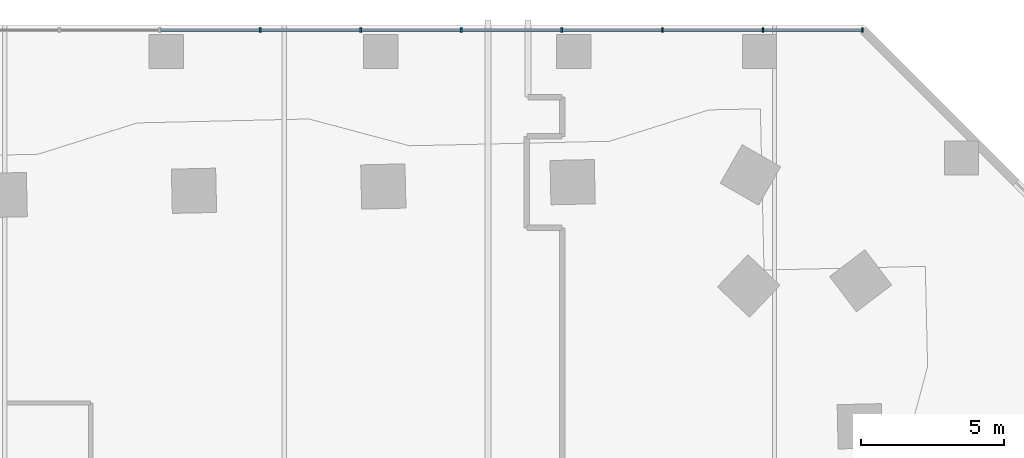
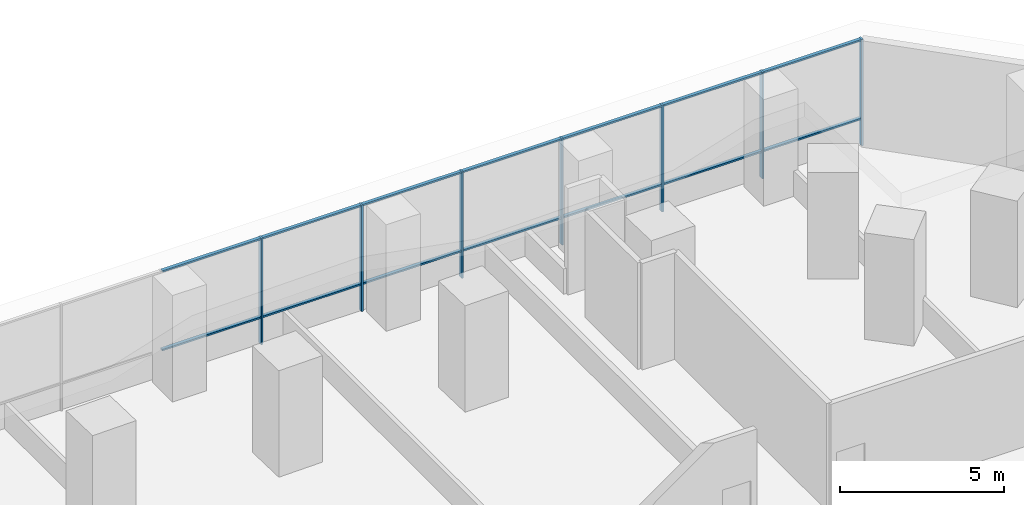
# One storey, part 3 of 12: 21 members, 1 element without a shape of its own.
"""IFC4 building model written with IfcOpenShell, lengths in metres."""

from ifc_helpers import new_model, si_unit, direction, frame, origin, origin_2d, place, context, subcontext, project, spatial, rectangle, extrude, material, material_profile, profile_set, type_object, element, aggregate, save


model = new_model("IFC4")

# Units and contexts
model_context = context("Model", 3, precision=1e-05, world=origin(), true_north=direction((0.0, 1.0)))
body_context = subcontext(model_context, "Body", "Model", "MODEL_VIEW")
ifc_project = project(units=[si_unit("LENGTHUNIT", "METRE"), si_unit("AREAUNIT", "SQUARE_METRE"), si_unit("VOLUMEUNIT", "CUBIC_METRE"), si_unit("PLANEANGLEUNIT", "RADIAN"), si_unit("MASSUNIT", "GRAM", prefix="KILO")], contexts=[model_context])

# Site, building, storey
site_placement = place(None, origin())
site = spatial("IfcSite", under=ifc_project, at=site_placement, CompositionType="ELEMENT")
building_placement = place(site_placement, origin())
building = spatial("IfcBuilding", under=site, at=building_placement, Name="Mangrove Gate Tower", CompositionType="ELEMENT")
storey_placement = place(building_placement, frame((0.0, 0.0, 25.0)))
storey = spatial("IfcBuildingStorey", under=building, at=storey_placement, Name="L05", CompositionType="ELEMENT", Elevation=25.0)

# Curtain wall, members
ifc_material_1 = material(Name="Aluminium and glass curtain wall", Category="aluminium")
curtain_wall_type = type_object("IfcCurtainWallType", Name="Podium amenity glazing wall", PredefinedType="NOTDEFINED", material=ifc_material_1)
curtain_wall_placement = place(storey_placement, origin())
curtain_wall = element("IfcCurtainWall", 1, at=curtain_wall_placement, inside=storey, type_object=curtain_wall_type, Name="Podium amenity glazing N3", PredefinedType="NOTDEFINED")
ifc_material_2 = material(Name="Aluminium alloy 6063-T6", Category="aluminium")
ifc_material_profile_1 = material_profile(ifc_material_2, rectangle(XDim=0.06005859375, YDim=0.159912109375, at=origin_2d()))
ifc_profile_set_1 = profile_set([ifc_material_profile_1], Name="Aluminium alloy 6063-T6")
member_type_1 = type_object("IfcMemberType", Name="Podium amenity glazing mullion 60x160", PredefinedType="MULLION", material=ifc_profile_set_1)
member_1_placement = place(storey_placement, frame((28.10791015625, 30.85009765625, 0.0), z_axis=(0.0, 0.0, 1.0), x_axis=(-1.0, 0.0, 0.0)))
member_1 = element("IfcMember", 2, at=member_1_placement, type_object=member_type_1, Name="CWP mullion 1", PredefinedType="MULLION", context=body_context, shape_type="SweptSolid", body=[
    extrude(rectangle(XDim=0.06005859375, YDim=0.159912109375, at=origin_2d()), origin(), (0.0, 0.0, 1.0), 3.949951171875),
])
member_2_placement = place(storey_placement, frame((24.62060546875, 30.85009765625, 0.0), z_axis=(0.0, 0.0, 1.0), x_axis=(-1.0, 0.0, 0.0)))
member_2 = element("IfcMember", 3, at=member_2_placement, type_object=member_type_1, Name="CWP mullion 2", PredefinedType="MULLION", context=body_context, shape_type="SweptSolid", body=[
    extrude(rectangle(XDim=0.06005859375, YDim=0.159912109375, at=origin_2d()), origin(), (0.0, 0.0, 1.0), 3.949951171875),
])
member_3_placement = place(storey_placement, frame((21.103515625, 30.85009765625, 0.0), z_axis=(0.0, 0.0, 1.0), x_axis=(-1.0, 0.0, 0.0)))
member_3 = element("IfcMember", 4, at=member_3_placement, type_object=member_type_1, Name="CWP mullion 3", PredefinedType="MULLION", context=body_context, shape_type="SweptSolid", body=[
    extrude(rectangle(XDim=0.06005859375, YDim=0.159912109375, at=origin_2d()), origin(), (0.0, 0.0, 1.0), 3.949951171875),
])
member_4_placement = place(storey_placement, frame((17.586181640625, 30.85009765625, 0.0), z_axis=(0.0, 0.0, 1.0), x_axis=(-1.0, 0.0, 0.0)))
member_4 = element("IfcMember", 5, at=member_4_placement, type_object=member_type_1, Name="CWP mullion 4", PredefinedType="MULLION", context=body_context, shape_type="SweptSolid", body=[
    extrude(rectangle(XDim=0.06005859375, YDim=0.159912109375, at=origin_2d()), origin(), (0.0, 0.0, 1.0), 3.949951171875),
])
member_5_placement = place(storey_placement, frame((14.06884765625, 30.85009765625, 0.0), z_axis=(0.0, 0.0, 1.0), x_axis=(-1.0, 0.0, 0.0)))
member_5 = element("IfcMember", 6, at=member_5_placement, type_object=member_type_1, Name="CWP mullion 5", PredefinedType="MULLION", context=body_context, shape_type="SweptSolid", body=[
    extrude(rectangle(XDim=0.06005859375, YDim=0.159912109375, at=origin_2d()), origin(), (0.0, 0.0, 1.0), 3.949951171875),
])
member_6_placement = place(storey_placement, frame((10.5517578125, 30.85009765625, 0.0), z_axis=(0.0, 0.0, 1.0), x_axis=(-1.0, 0.0, 0.0)))
member_6 = element("IfcMember", 7, at=member_6_placement, type_object=member_type_1, Name="CWP mullion 6", PredefinedType="MULLION", context=body_context, shape_type="SweptSolid", body=[
    extrude(rectangle(XDim=0.06005859375, YDim=0.159912109375, at=origin_2d()), origin(), (0.0, 0.0, 1.0), 3.949951171875),
])
member_7_placement = place(storey_placement, frame((7.034423828125, 30.85009765625, 0.0), z_axis=(0.0, 0.0, 1.0), x_axis=(-1.0, 0.0, 0.0)))
member_7 = element("IfcMember", 8, at=member_7_placement, type_object=member_type_1, Name="CWP mullion 7", PredefinedType="MULLION", context=body_context, shape_type="SweptSolid", body=[
    extrude(rectangle(XDim=0.06005859375, YDim=0.159912109375, at=origin_2d()), origin(), (0.0, 0.0, 1.0), 3.949951171875),
])
ifc_material_3 = material(Name="Aluminium alloy 6063-T6", Category="aluminium")
ifc_material_profile_2 = material_profile(ifc_material_3, rectangle(XDim=0.06005859375, YDim=0.1201171875, at=origin_2d()))
ifc_profile_set_2 = profile_set([ifc_material_profile_2], Name="Aluminium alloy 6063-T6")
member_type_2 = type_object("IfcMemberType", Name="Podium amenity glazing transom 60x120", PredefinedType="USERDEFINED", material=ifc_profile_set_2)
member_8_placement = place(storey_placement, frame((28.077880859375, 30.85009765625, 1.0), z_axis=(-1.0, 0.0, 0.0), x_axis=(0.0, 0.0, 1.0)))
member_8 = element("IfcMember", 9, at=member_8_placement, type_object=member_type_2, Name="CWP transom 1.2", ObjectType="TRANSOM", PredefinedType="USERDEFINED", context=body_context, shape_type="SweptSolid", body=[
    extrude(rectangle(XDim=0.06005859375, YDim=0.1201171875, at=origin_2d()), origin(), (0.0, 0.0, 1.0), 3.42724609375),
])
member_9_placement = place(storey_placement, frame((28.077880859375, 30.85009765625, 3.919921875), z_axis=(-1.0, 0.0, 0.0), x_axis=(0.0, 0.0, 1.0)))
member_9 = element("IfcMember", 10, at=member_9_placement, type_object=member_type_2, Name="CWP transom 1.3", ObjectType="TRANSOM", PredefinedType="USERDEFINED", context=body_context, shape_type="SweptSolid", body=[
    extrude(rectangle(XDim=0.06005859375, YDim=0.1201171875, at=origin_2d()), origin(), (0.0, 0.0, 1.0), 3.42724609375),
])
member_10_placement = place(storey_placement, frame((24.590576171875, 30.85009765625, 1.0), z_axis=(-1.0, 0.0, 0.0), x_axis=(0.0, 0.0, 1.0)))
member_10 = element("IfcMember", 11, at=member_10_placement, type_object=member_type_2, Name="CWP transom 2.2", ObjectType="TRANSOM", PredefinedType="USERDEFINED", context=body_context, shape_type="SweptSolid", body=[
    extrude(rectangle(XDim=0.06005859375, YDim=0.1201171875, at=origin_2d()), origin(), (0.0, 0.0, 1.0), 3.457275390625),
])
member_11_placement = place(storey_placement, frame((24.590576171875, 30.85009765625, 3.919921875), z_axis=(-1.0, 0.0, 0.0), x_axis=(0.0, 0.0, 1.0)))
member_11 = element("IfcMember", 12, at=member_11_placement, type_object=member_type_2, Name="CWP transom 2.3", ObjectType="TRANSOM", PredefinedType="USERDEFINED", context=body_context, shape_type="SweptSolid", body=[
    extrude(rectangle(XDim=0.06005859375, YDim=0.1201171875, at=origin_2d()), origin(), (0.0, 0.0, 1.0), 3.457275390625),
])
member_12_placement = place(storey_placement, frame((21.073486328125, 30.85009765625, 1.0), z_axis=(-1.0, 0.0, 0.0), x_axis=(0.0, 0.0, 1.0)))
member_12 = element("IfcMember", 13, at=member_12_placement, type_object=member_type_2, Name="CWP transom 3.2", ObjectType="TRANSOM", PredefinedType="USERDEFINED", context=body_context, shape_type="SweptSolid", body=[
    extrude(rectangle(XDim=0.06005859375, YDim=0.1201171875, at=origin_2d()), origin(), (0.0, 0.0, 1.0), 3.457275390625),
])
member_13_placement = place(storey_placement, frame((21.073486328125, 30.85009765625, 3.919921875), z_axis=(-1.0, 0.0, 0.0), x_axis=(0.0, 0.0, 1.0)))
member_13 = element("IfcMember", 14, at=member_13_placement, type_object=member_type_2, Name="CWP transom 3.3", ObjectType="TRANSOM", PredefinedType="USERDEFINED", context=body_context, shape_type="SweptSolid", body=[
    extrude(rectangle(XDim=0.06005859375, YDim=0.1201171875, at=origin_2d()), origin(), (0.0, 0.0, 1.0), 3.457275390625),
])
member_14_placement = place(storey_placement, frame((17.55615234375, 30.85009765625, 1.0), z_axis=(-1.0, 0.0, 0.0), x_axis=(0.0, 0.0, 1.0)))
member_14 = element("IfcMember", 15, at=member_14_placement, type_object=member_type_2, Name="CWP transom 4.2", ObjectType="TRANSOM", PredefinedType="USERDEFINED", context=body_context, shape_type="SweptSolid", body=[
    extrude(rectangle(XDim=0.06005859375, YDim=0.1201171875, at=origin_2d()), origin(), (0.0, 0.0, 1.0), 3.457275390625),
])
member_15_placement = place(storey_placement, frame((17.55615234375, 30.85009765625, 3.919921875), z_axis=(-1.0, 0.0, 0.0), x_axis=(0.0, 0.0, 1.0)))
member_15 = element("IfcMember", 16, at=member_15_placement, type_object=member_type_2, Name="CWP transom 4.3", ObjectType="TRANSOM", PredefinedType="USERDEFINED", context=body_context, shape_type="SweptSolid", body=[
    extrude(rectangle(XDim=0.06005859375, YDim=0.1201171875, at=origin_2d()), origin(), (0.0, 0.0, 1.0), 3.457275390625),
])
member_16_placement = place(storey_placement, frame((14.038818359375, 30.85009765625, 1.0), z_axis=(-1.0, 0.0, 0.0), x_axis=(0.0, 0.0, 1.0)))
member_16 = element("IfcMember", 17, at=member_16_placement, type_object=member_type_2, Name="CWP transom 5.2", ObjectType="TRANSOM", PredefinedType="USERDEFINED", context=body_context, shape_type="SweptSolid", body=[
    extrude(rectangle(XDim=0.06005859375, YDim=0.1201171875, at=origin_2d()), origin(), (0.0, 0.0, 1.0), 3.45703125),
])
member_17_placement = place(storey_placement, frame((14.038818359375, 30.85009765625, 3.919921875), z_axis=(-1.0, 0.0, 0.0), x_axis=(0.0, 0.0, 1.0)))
member_17 = element("IfcMember", 18, at=member_17_placement, type_object=member_type_2, Name="CWP transom 5.3", ObjectType="TRANSOM", PredefinedType="USERDEFINED", context=body_context, shape_type="SweptSolid", body=[
    extrude(rectangle(XDim=0.06005859375, YDim=0.1201171875, at=origin_2d()), origin(), (0.0, 0.0, 1.0), 3.45703125),
])
member_18_placement = place(storey_placement, frame((10.521728515625, 30.85009765625, 1.0), z_axis=(-1.0, 0.0, 0.0), x_axis=(0.0, 0.0, 1.0)))
member_18 = element("IfcMember", 19, at=member_18_placement, type_object=member_type_2, Name="CWP transom 6.2", ObjectType="TRANSOM", PredefinedType="USERDEFINED", context=body_context, shape_type="SweptSolid", body=[
    extrude(rectangle(XDim=0.06005859375, YDim=0.1201171875, at=origin_2d()), origin(), (0.0, 0.0, 1.0), 3.457275390625),
])
member_19_placement = place(storey_placement, frame((10.521728515625, 30.85009765625, 3.919921875), z_axis=(-1.0, 0.0, 0.0), x_axis=(0.0, 0.0, 1.0)))
member_19 = element("IfcMember", 20, at=member_19_placement, type_object=member_type_2, Name="CWP transom 6.3", ObjectType="TRANSOM", PredefinedType="USERDEFINED", context=body_context, shape_type="SweptSolid", body=[
    extrude(rectangle(XDim=0.06005859375, YDim=0.1201171875, at=origin_2d()), origin(), (0.0, 0.0, 1.0), 3.457275390625),
])
member_20_placement = place(storey_placement, frame((7.00439453125, 30.85009765625, 1.0), z_axis=(-1.0, 0.0, 0.0), x_axis=(0.0, 0.0, 1.0)))
member_20 = element("IfcMember", 21, at=member_20_placement, type_object=member_type_2, Name="CWP transom 7.2", ObjectType="TRANSOM", PredefinedType="USERDEFINED", context=body_context, shape_type="SweptSolid", body=[
    extrude(rectangle(XDim=0.06005859375, YDim=0.1201171875, at=origin_2d()), origin(), (0.0, 0.0, 1.0), 3.457275390625),
])
member_21_placement = place(storey_placement, frame((7.00439453125, 30.85009765625, 3.919921875), z_axis=(-1.0, 0.0, 0.0), x_axis=(0.0, 0.0, 1.0)))
member_21 = element("IfcMember", 22, at=member_21_placement, type_object=member_type_2, Name="CWP transom 7.3", ObjectType="TRANSOM", PredefinedType="USERDEFINED", context=body_context, shape_type="SweptSolid", body=[
    extrude(rectangle(XDim=0.06005859375, YDim=0.1201171875, at=origin_2d()), origin(), (0.0, 0.0, 1.0), 3.457275390625),
])
aggregate(curtain_wall, [member_1, member_2, member_3, member_4, member_5, member_6, member_7, member_8, member_9, member_10, member_11, member_12, member_13, member_14, member_15, member_16, member_17, member_18, member_19, member_20, member_21])

save(model, "model.ifc")
